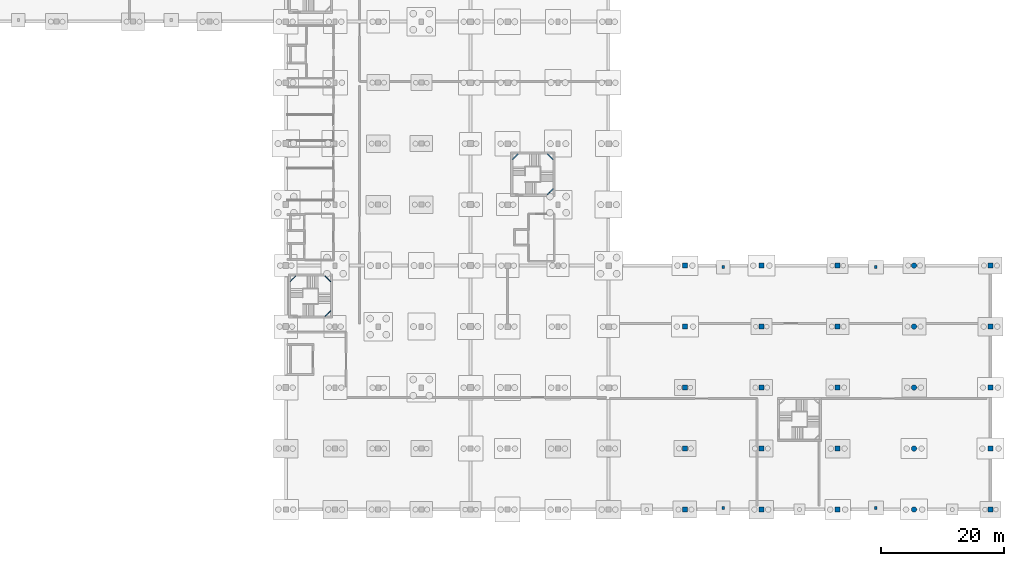
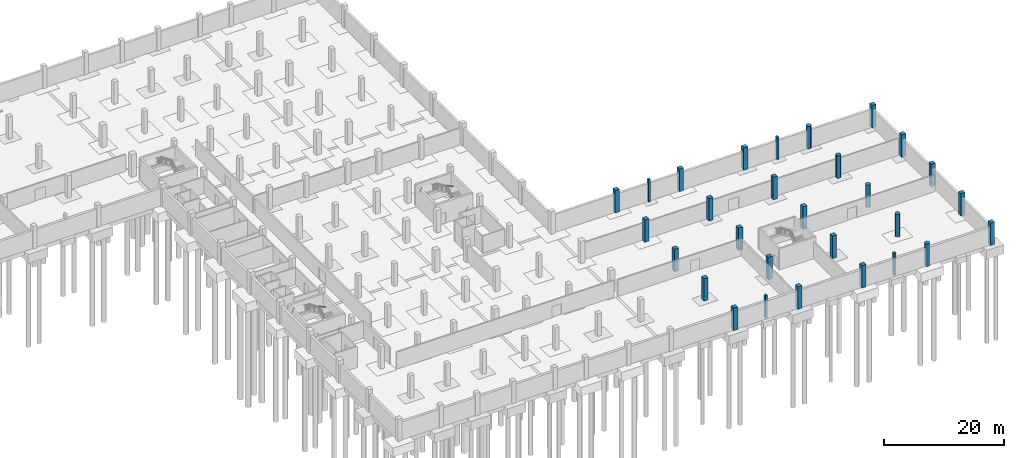
# One storey, part 8 of 30: 29 columns, 6 beams.
"""IFC4 building model written with IfcOpenShell, lengths in metres."""

from ifc_helpers import new_model, si_unit, direction, frame, origin, origin_2d, place, context, subcontext, project, spatial, rectangle, hollow_rectangle, circle, extrude, material, material_profile, profile_set, type_object, element, save


model = new_model("IFC4")

# Units and contexts
model_context = context("Model", 3, precision=1e-05, world=origin(), true_north=direction((0.0, 1.0)))
body_context = subcontext(model_context, "Body", "Model", "MODEL_VIEW")
ifc_project = project(units=[si_unit("LENGTHUNIT", "METRE"), si_unit("AREAUNIT", "SQUARE_METRE"), si_unit("VOLUMEUNIT", "CUBIC_METRE"), si_unit("PLANEANGLEUNIT", "RADIAN"), si_unit("MASSUNIT", "GRAM", prefix="KILO")], contexts=[model_context])

# Site, building, storey
site_placement = place(None, origin())
site = spatial("IfcSite", under=ifc_project, at=site_placement, CompositionType="ELEMENT")
building_placement = place(site_placement, origin())
building = spatial("IfcBuilding", under=site, at=building_placement, Name="Sillaruma Civic Art Gallery", CompositionType="ELEMENT")
storey_placement = place(building_placement, frame((0.0, 0.0, -9.179931640625)))
storey = spatial("IfcBuildingStorey", under=building, at=storey_placement, Name="B02", CompositionType="ELEMENT", Elevation=-9.179931640625)

# Columns
ifc_material_1 = material(Name="Concrete H40 (40 MPa)", Category="concrete")
ifc_material_profile_1 = material_profile(ifc_material_1, rectangle(XDim=0.800048828125, YDim=0.800048828125, at=origin_2d()), Name="RC800x800")
ifc_profile_set_1 = profile_set([ifc_material_profile_1], Name="Concrete H40 (40 MPa)")
column_type_1 = type_object("IfcColumnType", Name="COL-COLUMN-RC800x800", PredefinedType="COLUMN", material=ifc_profile_set_1)
for number, where, z_axis, x_axis, name in (
    (1, (126.800048828125, 0.0, 0.0), (0.0, 0.0, 1.0), (1.0, 0.0, 0.0), "Column C-04 (B02:P1)"),
    (2, (126.800048828125, 9.89990234375, 0.0), (0.0, 0.0, 1.0), (1.0, 0.0, 0.0), "Column C-04 (B02:P2)"),
    (3, (126.800048828125, 19.800048828125, 0.0), (0.0, 0.0, 1.0), (1.0, 0.0, 0.0), "Column C-04 (B02:P3)"),
    (4, (126.800048828125, 29.699951171875, 0.0), (0.0, 0.0, 1.0), (1.0, 0.0, 0.0), "Column C-04 (B02:P4)"),
    (5, (126.800048828125, 39.60009765625, 0.0), (0.0, 0.0, 1.0), (1.0, 0.0, 0.0), "Column C-04 (B02:P5)"),
    (6, (139.199951171875, 0.0, 0.0), (0.0, 0.0, 1.0), (1.0, 0.0, 0.0), "Column C-04 (B02:Q1)"),
    (7, (139.199951171875, 9.89990234375, 0.0), (0.0, 0.0, 1.0), (1.0, 0.0, 0.0), "Column C-04 (B02:Q2)"),
    (8, (139.199951171875, 19.800048828125, 0.0), (0.0, 0.0, 1.0), (1.0, 0.0, 0.0), "Column C-04 (B02:Q3)"),
    (9, (139.199951171875, 29.699951171875, 0.0), (0.0, 0.0, 1.0), (1.0, 0.0, 0.0), "Column C-04 (B02:Q4)"),
    (10, (139.199951171875, 39.60009765625, 0.0), (0.0, 0.0, 1.0), (1.0, 0.0, 0.0), "Column C-04 (B02:Q5)"),
    (11, (151.60009765625, 0.0, 0.0), (0.0, 0.0, 1.0), (1.0, 0.0, 0.0), "Column C-04 (B02:R1)"),
    (12, (151.60009765625, 9.89990234375, 0.0), (0.0, 0.0, 1.0), (1.0, 0.0, 0.0), "Column C-04 (B02:R2)"),
    (13, (151.60009765625, 19.800048828125, 0.0), (0.0, 0.0, 1.0), (1.0, 0.0, 0.0), "Column C-04 (B02:R3)"),
    (14, (151.60009765625, 29.699951171875, 0.0), (0.0, 0.0, 1.0), (1.0, 0.0, 0.0), "Column C-04 (B02:R4)"),
    (15, (151.60009765625, 39.60009765625, 0.0), (0.0, 0.0, 1.0), (1.0, 0.0, 0.0), "Column C-04 (B02:R5)"),
    (16, (176.39990234375, 0.0, 0.0), (0.0, 0.0, 1.0), (1.0, 0.0, 0.0), "Column C-04 (B02:T1)"),
    (17, (176.39990234375, 9.89990234375, 0.0), (0.0, 0.0, 1.0), (1.0, 0.0, 0.0), "Column C-04 (B02:T2)"),
    (18, (176.39990234375, 19.800048828125, 0.0), (0.0, 0.0, 1.0), (1.0, 0.0, 0.0), "Column C-04 (B02:T3)"),
    (19, (176.39990234375, 29.699951171875, 0.0), (0.0, 0.0, 1.0), (1.0, 0.0, 0.0), "Column C-04 (B02:T4)"),
    (20, (176.39990234375, 39.60009765625, 0.0), (0.0, 0.0, 1.0), (1.0, 0.0, 0.0), "Column C-04 (B02:T5)"),
):
    element("IfcColumn", number, at=place(storey_placement, frame(where, z_axis=z_axis, x_axis=x_axis)), inside=storey, type_object=column_type_1, Name=name, PredefinedType="COLUMN", context=body_context, shape_type="SweptSolid", body=[
        extrude(rectangle(XDim=0.800048828125, YDim=0.800048828125, at=origin_2d()), origin(), (0.0, 0.0, 1.0), 4.58984375),
    ])
ifc_material_profile_2 = material_profile(ifc_material_1, circle(Radius=0.43994140625, at=origin_2d()), Name="RCC880")
ifc_profile_set_2 = profile_set([ifc_material_profile_2], Name="Concrete H40 (40 MPa)")
column_type_2 = type_object("IfcColumnType", Name="COL-COLUMN-RCC880", PredefinedType="COLUMN", material=ifc_profile_set_2)
for number, where, z_axis, x_axis, name in (
    (21, (164.0, 0.0, 0.0), (0.0, 0.0, 1.0), (1.0, 0.0, 0.0), "Column CC-01 (B02:S1)"),
    (22, (164.0, 9.89990234375, 0.0), (0.0, 0.0, 1.0), (1.0, 0.0, 0.0), "Column CC-01 (B02:S2)"),
    (23, (164.0, 19.800048828125, 0.0), (0.0, 0.0, 1.0), (1.0, 0.0, 0.0), "Column CC-01 (B02:S3)"),
    (24, (164.0, 29.699951171875, 0.0), (0.0, 0.0, 1.0), (1.0, 0.0, 0.0), "Column CC-01 (B02:S4)"),
    (25, (164.0, 39.60009765625, 0.0), (0.0, 0.0, 1.0), (1.0, 0.0, 0.0), "Column CC-01 (B02:S5)"),
):
    element("IfcColumn", number, at=place(storey_placement, frame(where, z_axis=z_axis, x_axis=x_axis)), inside=storey, type_object=column_type_2, Name=name, PredefinedType="COLUMN", context=body_context, shape_type="SweptSolid", body=[
        extrude(circle(Radius=0.43994140625, at=origin_2d()), origin(), (0.0, 0.0, 1.0), 4.58984375),
    ])
ifc_material_profile_3 = material_profile(ifc_material_1, rectangle(XDim=0.3798828125, YDim=0.5, at=origin_2d()), Name="RC500x380")
ifc_profile_set_3 = profile_set([ifc_material_profile_3], Name="Concrete H40 (40 MPa)")
column_type_3 = type_object("IfcColumnType", Name="COL-PILASTER-RC500x380", PredefinedType="PILASTER", material=ifc_profile_set_3)
for number, where, z_axis, x_axis, name in (
    (26, (133.0, 0.25, 0.0), (0.0, 0.0, 1.0), (1.0, 0.0, 0.0), "Pilaster CP-01 (B02:PIL-E1)"),
    (27, (157.800048828125, 0.25, 0.0), (0.0, 0.0, 1.0), (1.0, 0.0, 0.0), "Pilaster CP-01 (B02:PIL-E2)"),
    (28, (133.0, 39.35009765625, 0.0), (0.0, 0.0, 1.0), (1.0, 0.0, 0.0), "Pilaster CP-01 (B02:PIL-E3)"),
    (29, (157.800048828125, 39.35009765625, 0.0), (0.0, 0.0, 1.0), (1.0, 0.0, 0.0), "Pilaster CP-01 (B02:PIL-E4)"),
):
    element("IfcColumn", number, at=place(storey_placement, frame(where, z_axis=z_axis, x_axis=x_axis)), inside=storey, type_object=column_type_3, Name=name, PredefinedType="PILASTER", context=body_context, shape_type="SweptSolid", body=[
        extrude(rectangle(XDim=0.3798828125, YDim=0.5, at=origin_2d()), origin(), (0.0, 0.0, 1.0), 4.58984375),
    ])

# Beams
ifc_material_2 = material(Name="Structural Steel ASTM A500 Gr.C", Category="steel")
ifc_material_profile_4 = material_profile(ifc_material_2, hollow_rectangle(XDim=0.080078125, YDim=0.159912109375, WallThickness=0.008056640625, InnerFilletRadius=0.008056640625, OuterFilletRadius=0.01611328125, at=origin_2d()), Name="HSS160x80x8")
ifc_profile_set_4 = profile_set([ifc_material_profile_4], Name="Structural Steel ASTM A500 Gr.C")
beam_type = type_object("IfcBeamType", Name="BM-LND-HSS160", PredefinedType="BEAM", material=ifc_profile_set_4)
for number, where, z_axis, x_axis, name in (
    (30, (68.389892578125, 31.3701171875, 0.909912109375), (0.707203758046, 0.707009791025, 0.0), (-0.707009791025, 0.707203758046, 0.0), "Stair Corner Landing Trimmer Beam (ST-03-B02-1)"),
    (31, (68.389892578125, 37.929931640625, 2.099853515625), (0.707203758046, -0.707009791025, 0.0), (0.707009791025, 0.707203758046, 0.0), "Stair Corner Landing Trimmer Beam (ST-03-B02-2)"),
    (32, (62.719970703125, 37.0400390625, 3.2900390625), (0.707203758046, 0.707009791025, 0.0), (-0.707009791025, 0.707203758046, 0.0), "Stair Corner Landing Trimmer Beam (ST-03-B02-3)"),
    (33, (104.489990234375, 51.169921875, 0.909912109375), (0.707009791025, 0.707203758046, 0.0), (-0.707203758046, 0.707009791025, 0.0), "Stair Corner Landing Trimmer Beam (ST-04-B02-1)"),
):
    element("IfcBeam", number, at=place(storey_placement, frame(where, z_axis=z_axis, x_axis=x_axis)), inside=storey, type_object=beam_type, Name=name, PredefinedType="BEAM", context=body_context, shape_type="SweptSolid", body=[
        extrude(hollow_rectangle(XDim=0.080078125, YDim=0.159912109375, WallThickness=0.008056640625, InnerFilletRadius=0.008056640625, OuterFilletRadius=0.01611328125, at=origin_2d()), origin(), (0.0, 0.0, 1.0), 1.2587890625),
    ])
for number, where, z_axis, x_axis, name in (
    (34, (104.489990234375, 57.72998046875, 2.099853515625), (0.707106781187, -0.707106781187, 0.0), (0.707106781187, 0.707106781187, 0.0), "Stair Corner Landing Trimmer Beam (ST-04-B02-2)"),
    (35, (98.820068359375, 56.840087890625, 3.2900390625), (0.707106781187, 0.707106781187, 0.0), (-0.707106781187, 0.707106781187, 0.0), "Stair Corner Landing Trimmer Beam (ST-04-B02-3)"),
):
    element("IfcBeam", number, at=place(storey_placement, frame(where, z_axis=z_axis, x_axis=x_axis)), inside=storey, type_object=beam_type, Name=name, PredefinedType="BEAM", context=body_context, shape_type="SweptSolid", body=[
        extrude(hollow_rectangle(XDim=0.080078125, YDim=0.159912109375, WallThickness=0.008056640625, InnerFilletRadius=0.008056640625, OuterFilletRadius=0.01611328125, at=origin_2d()), origin(), (0.0, 0.0, 1.0), 1.258544921875),
    ])

save(model, "model.ifc")
